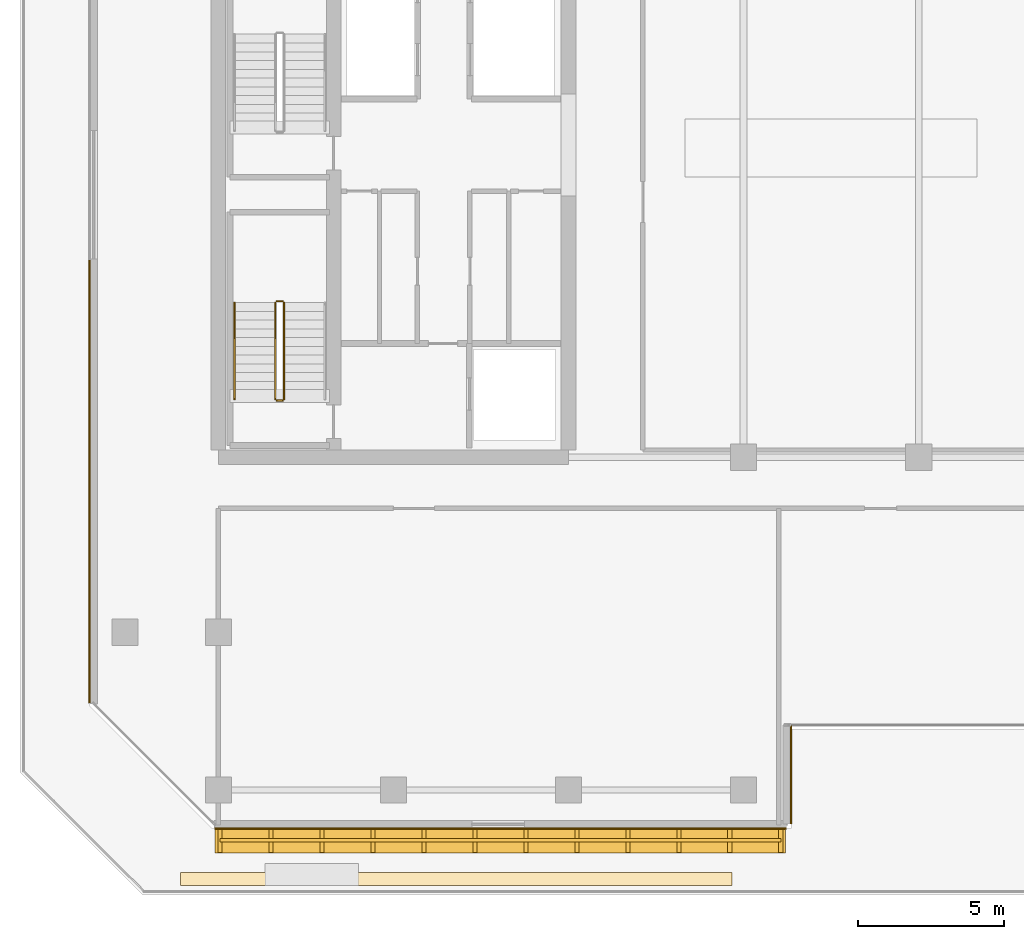
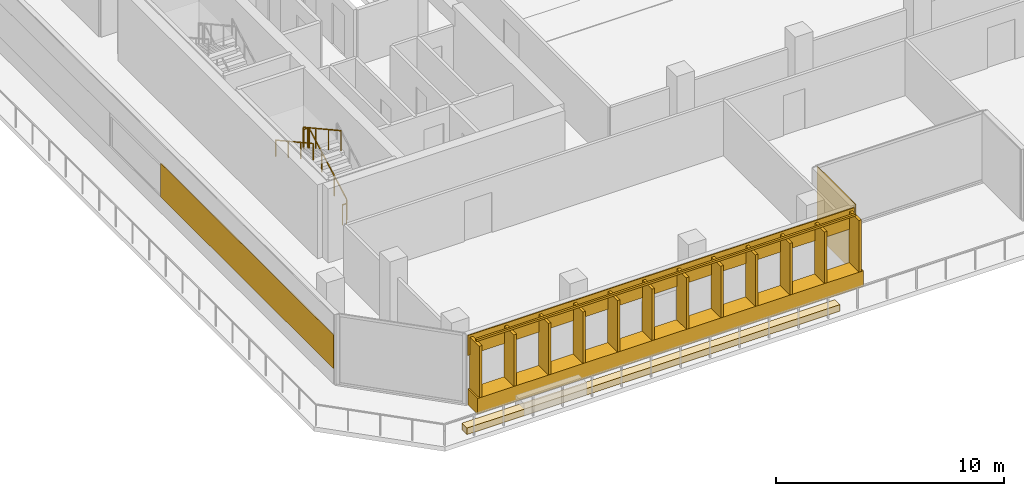
# One storey, part 26 of 30: 6 railings, 5 coverings.
"""IFC4 building model written with IfcOpenShell, lengths in metres."""

from ifc_helpers import new_model, si_unit, direction, frame, origin, origin_2d, place, context, subcontext, project, spatial, polyline, rectangle, outline, extrude, material, layer, layer_set, type_object, element, save


model = new_model("IFC4")

# Units and contexts
model_context = context("Model", 3, precision=1e-05, world=origin(), true_north=direction((0.0, 1.0)))
body_context = subcontext(model_context, "Body", "Model", "MODEL_VIEW")
ifc_project = project(units=[si_unit("LENGTHUNIT", "METRE"), si_unit("AREAUNIT", "SQUARE_METRE"), si_unit("VOLUMEUNIT", "CUBIC_METRE"), si_unit("PLANEANGLEUNIT", "RADIAN"), si_unit("MASSUNIT", "GRAM", prefix="KILO")], contexts=[model_context])

# Site, building, storey
site_placement = place(None, origin())
site = spatial("IfcSite", under=ifc_project, at=site_placement, CompositionType="ELEMENT")
building_placement = place(site_placement, origin())
building = spatial("IfcBuilding", under=site, at=building_placement, Name="Tanjung Sevakor Pilgrim Tower", CompositionType="ELEMENT")
storey_placement = place(building_placement, frame((0.0, 0.0, 128.0400390625)))
storey = spatial("IfcBuildingStorey", under=building, at=storey_placement, Name="L35", CompositionType="ELEMENT", Elevation=128.0400390625)

# Coverings
ifc_material_1 = material(Name="Reconstructed Limestone Cladding", Category="masonry")
ifc_layer_1 = layer(ifc_material_1, 0.044921875)
ifc_layer_set_1 = layer_set([ifc_layer_1], Name="COV-CLAD-LIMESTONE")
covering_type_1 = type_object("IfcCoveringType", Name="COV-CLAD-LIMESTONE", PredefinedType="CLADDING", material=ifc_layer_set_1)
covering_1_placement = place(storey_placement, frame((33.663330078125, 11.469970703125, 0.009765625), z_axis=(0.0, 0.0, 1.0), x_axis=(1.0, 0.0, 0.0)))
element("IfcCovering", 1, at=covering_1_placement, inside=storey, type_object=covering_type_1, Name="L35 Warm Limestone Sill Spandrel EW-L35-MAIN-1-1", PredefinedType="CLADDING", context=body_context, shape_type="SweptSolid", body=[
    extrude(rectangle(XDim=19.543212890625, YDim=0.860107421875, at=origin_2d()), origin(), (0.0, 0.0, 1.0), 0.840087890625),
])
covering_2_placement = place(storey_placement, frame((33.663330078125, 11.87744140625, 2.66015625), z_axis=(0.0, 0.0, 1.0), x_axis=(1.0, 0.0, 0.0)))
element("IfcCovering", 2, at=covering_2_placement, inside=storey, type_object=covering_type_1, Name="L35 Warm Limestone Cornice Spandrel EW-L35-MAIN-1", PredefinedType="CLADDING", context=body_context, shape_type="SweptSolid", body=[
    extrude(rectangle(XDim=19.583251953125, YDim=0.044921875, at=origin_2d()), origin(), (0.0, 0.0, 1.0), 1.070068359375),
])
covering_3_placement = place(storey_placement, frame((43.62255859375, 13.72509765625, 0.02001953125), z_axis=(0.0, 0.0, 1.0), x_axis=(0.0, 1.0, 0.0)))
element("IfcCovering", 3, at=covering_3_placement, inside=storey, type_object=covering_type_1, Name="L35 Warm Limestone Wall Cladding EW-L35-MAIN-2", PredefinedType="CLADDING", context=body_context, shape_type="SweptSolid", body=[
    extrude(rectangle(XDim=3.360107421875, YDim=0.044921875, at=origin_2d()), origin(), (0.0, 0.0, 1.0), 3.699951171875),
])
covering_4_placement = place(storey_placement, frame((19.577392578125, 23.77099609375, 0.849853515625), z_axis=(0.0, 0.0, 1.0), x_axis=(0.0, -1.0, 0.0)))
element("IfcCovering", 4, at=covering_4_placement, inside=storey, type_object=covering_type_1, Name="L35 Warm Limestone Pier Panel EW-L35-MAIN-15-2", PredefinedType="CLADDING", context=body_context, shape_type="SweptSolid", body=[
    extrude(rectangle(XDim=15.158203125, YDim=0.044921875, at=origin_2d()), origin(), (0.0, 0.0, 1.0), 1.81005859375),
])
ifc_material_2 = material(Name="Vegetated Modular Planter Assembly", Category="organic")
ifc_layer_2 = layer(ifc_material_2, 0.35009765625)
ifc_layer_set_2 = layer_set([ifc_layer_2], Name="COV-GRN-TROUGH")
covering_type_2 = type_object("IfcCoveringType", Name="COV-GRN-TROUGH", PredefinedType="CLADDING", material=ifc_layer_set_2)
covering_5_placement = place(storey_placement, origin())
element("IfcCovering", 5, at=covering_5_placement, inside=storey, type_object=covering_type_2, Name="L35 Planted Landscape Hedge Trough SGRN-L35-SW", PredefinedType="CLADDING", context=body_context, shape_type="SweptSolid", body=[
    extrude(outline(polyline([(22.699951171875, 9.929931640625), (41.60009765625, 9.929931640625), (41.60009765625, 10.3701171875), (22.699951171875, 10.3701171875), (22.699951171875, 9.929931640625)])), origin(), (0.0, 0.0, 1.0), 0.349853515625),
])

# Railings
ifc_material_3 = material(Name="Anodised Bronze Aluminium 6063-T6", Category="aluminium")
railing_type_1 = type_object("IfcRailingType", Name="RL-FIN-SCREEN", PredefinedType="BALUSTRADE", material=ifc_material_3)
railing_1_placement = place(storey_placement, frame((24.0517578125, 11.47509765625, 0.83984375)))
element("IfcRailing", 6, at=railing_1_placement, inside=storey, type_object=railing_type_1, Name="L35 Vertical Bronze-Gold Solar Fin Screen FNSCR-EW-L35-MAIN-1-1", PredefinedType="BALUSTRADE", context=body_context, shape_type="SweptSolid", body=[
    extrude(rectangle(XDim=0.105, YDim=0.105), frame((0.0, 0.0, 2.817626953125), z_axis=(1.0, 0.0, 0.0), x_axis=(0.0, 1.0, 0.0)), (0.0, 0.0, 1.0), 19.22314453125),
    extrude(rectangle(XDim=0.14, YDim=0.85), origin(), (0.0, 0.0, 1.0), 2.76513671875),
    extrude(rectangle(XDim=0.14, YDim=0.85), frame((1.74755859375, 0.0, 0.0)), (0.0, 0.0, 1.0), 2.76513671875),
    extrude(rectangle(XDim=0.14, YDim=0.85), frame((3.4951171875, 0.0, 0.0)), (0.0, 0.0, 1.0), 2.76513671875),
    extrude(rectangle(XDim=0.14, YDim=0.85), frame((5.24267578125, 0.0, 0.0)), (0.0, 0.0, 1.0), 2.76513671875),
    extrude(rectangle(XDim=0.14, YDim=0.85), frame((6.990234375, 0.0, 0.0)), (0.0, 0.0, 1.0), 2.76513671875),
    extrude(rectangle(XDim=0.14, YDim=0.85), frame((8.73779296875, 0.0, 0.0)), (0.0, 0.0, 1.0), 2.76513671875),
    extrude(rectangle(XDim=0.14, YDim=0.85), frame((10.4853515625, 0.0, 0.0)), (0.0, 0.0, 1.0), 2.76513671875),
    extrude(rectangle(XDim=0.14, YDim=0.85), frame((12.23291015625, 0.0, 0.0)), (0.0, 0.0, 1.0), 2.76513671875),
    extrude(rectangle(XDim=0.14, YDim=0.85), frame((13.98046875, 0.0, 0.0)), (0.0, 0.0, 1.0), 2.76513671875),
    extrude(rectangle(XDim=0.14, YDim=0.85), frame((15.72802734375, 0.0, 0.0)), (0.0, 0.0, 1.0), 2.76513671875),
    extrude(rectangle(XDim=0.14, YDim=0.85), frame((17.4755859375, 0.0, 0.0)), (0.0, 0.0, 1.0), 2.76513671875),
    extrude(rectangle(XDim=0.14, YDim=0.85), frame((19.22314453125, 0.0, 0.0)), (0.0, 0.0, 1.0), 2.76513671875),
])
ifc_material_4 = material(Name="Steel S355J2", Category="steel")
railing_type_2 = type_object("IfcRailingType", Name="RL-STAIR-GUARD", PredefinedType="GUARDRAIL", material=ifc_material_4)
railing_2_placement = place(storey_placement, frame((26.25, 26.60009765625, 0.1650390625)))
element("IfcRailing", 7, at=railing_2_placement, inside=storey, type_object=railing_type_2, Name="L35 TS-W1 stair guard 1", PredefinedType="GUARDRAIL", context=body_context, shape_type="SweptSolid", body=[
    extrude(rectangle(XDim=0.0479, YDim=0.0479), frame((0.0, 0.0, 1.076171875), z_axis=(0.0, 0.876210433733, 0.481928704082), x_axis=(-1.0, 0.0, 0.0)), (0.0, 0.0, 1.0), 3.76611328125),
    extrude(rectangle(XDim=0.042, YDim=0.042), origin(), (0.0, 0.0, 1.0), 1.052001953125),
    extrude(rectangle(XDim=0.042, YDim=0.042), frame((0.0, 1.099853515625, 0.60498046875)), (0.0, 0.0, 1.0), 1.052001953125),
    extrude(rectangle(XDim=0.042, YDim=0.042), frame((0.0, 2.199951171875, 1.2099609375)), (0.0, 0.0, 1.0), 1.052001953125),
    extrude(rectangle(XDim=0.042, YDim=0.042), frame((0.0, 3.2998046875, 1.81494140625)), (0.0, 0.0, 1.0), 1.052001953125),
])
railing_3_placement = place(storey_placement, frame((26.199951171875, 29.949951171875, 1.97998046875)))
element("IfcRailing", 8, at=railing_3_placement, inside=storey, type_object=railing_type_2, Name="L35 TS-W1 stair guard 2", PredefinedType="GUARDRAIL", context=body_context, shape_type="SweptSolid", body=[
    extrude(rectangle(XDim=0.0479, YDim=0.0479), frame((0.0, 0.0, 1.076171875), z_axis=(-1.0, 0.0, 0.0), x_axis=(0.0, -1.0, 0.0)), (0.0, 0.0, 1.0), 0.199951171875),
    extrude(rectangle(XDim=0.042, YDim=0.042), origin(), (0.0, 0.0, 1.0), 1.052001953125),
    extrude(rectangle(XDim=0.042, YDim=0.042), frame((-0.199951171875, 0.0, 0.0)), (0.0, 0.0, 1.0), 1.052001953125),
])
railing_4_placement = place(storey_placement, frame((25.949951171875, 29.89990234375, 2.14501953125)))
element("IfcRailing", 9, at=railing_4_placement, inside=storey, type_object=railing_type_2, Name="L35 TS-W1 stair guard 3", PredefinedType="GUARDRAIL", context=body_context, shape_type="SweptSolid", body=[
    extrude(rectangle(XDim=0.0479, YDim=0.0479), frame((0.0, 0.0, 1.076171875), z_axis=(0.0, -0.876210433733, 0.481928704082), x_axis=(1.0, 0.0, 0.0)), (0.0, 0.0, 1.0), 3.76611328125),
    extrude(rectangle(XDim=0.042, YDim=0.042), origin(), (0.0, 0.0, 1.0), 1.052001953125),
    extrude(rectangle(XDim=0.042, YDim=0.042), frame((0.0, -1.099853515625, 0.60498046875)), (0.0, 0.0, 1.0), 1.052001953125),
    extrude(rectangle(XDim=0.042, YDim=0.042), frame((0.0, -2.199951171875, 1.2099609375)), (0.0, 0.0, 1.0), 1.052001953125),
    extrude(rectangle(XDim=0.042, YDim=0.042), frame((0.0, -3.2998046875, 1.81494140625)), (0.0, 0.0, 1.0), 1.052001953125),
])
railing_5_placement = place(storey_placement, frame((26.199951171875, 26.550048828125, 0.0)))
element("IfcRailing", 10, at=railing_5_placement, inside=storey, type_object=railing_type_2, Name="L35 TS-W1 stair guard 4", PredefinedType="GUARDRAIL", context=body_context, shape_type="SweptSolid", body=[
    extrude(rectangle(XDim=0.0479, YDim=0.0479), frame((0.0, 0.0, 1.076171875), z_axis=(-1.0, 0.0, 0.0), x_axis=(0.0, -1.0, 0.0)), (0.0, 0.0, 1.0), 0.199951171875),
    extrude(rectangle(XDim=0.042, YDim=0.042), origin(), (0.0, 0.0, 1.0), 1.052001953125),
    extrude(rectangle(XDim=0.042, YDim=0.042), frame((-0.199951171875, 0.0, 0.0)), (0.0, 0.0, 1.0), 1.052001953125),
])
ifc_material_5 = material(Name="Steel S355J2", Category="steel")
railing_type_3 = type_object("IfcRailingType", Name="RL-STAIR-HAND", PredefinedType="HANDRAIL", material=ifc_material_5)
railing_6_placement = place(storey_placement, frame((24.550048828125, 29.89990234375, 2.14501953125)))
element("IfcRailing", 11, at=railing_6_placement, inside=storey, type_object=railing_type_3, Name="L35 TS-W1 stair handrail 2", PredefinedType="HANDRAIL", context=body_context, shape_type="SweptSolid", body=[
    extrude(rectangle(XDim=0.0479, YDim=0.0479), frame((0.0, 0.0, 0.8759765625), z_axis=(0.0, -0.876210433733, 0.481928704082), x_axis=(1.0, 0.0, 0.0)), (0.0, 0.0, 1.0), 3.76611328125),
    extrude(rectangle(XDim=0.042, YDim=0.042), origin(), (0.0, 0.0, 1.0), 0.851806640625),
    extrude(rectangle(XDim=0.042, YDim=0.042), frame((0.0, -1.099853515625, 0.60498046875)), (0.0, 0.0, 1.0), 0.851806640625),
    extrude(rectangle(XDim=0.042, YDim=0.042), frame((0.0, -2.199951171875, 1.2099609375)), (0.0, 0.0, 1.0), 0.851806640625),
    extrude(rectangle(XDim=0.042, YDim=0.042), frame((0.0, -3.2998046875, 1.81494140625)), (0.0, 0.0, 1.0), 0.851806640625),
])

save(model, "model.ifc")
